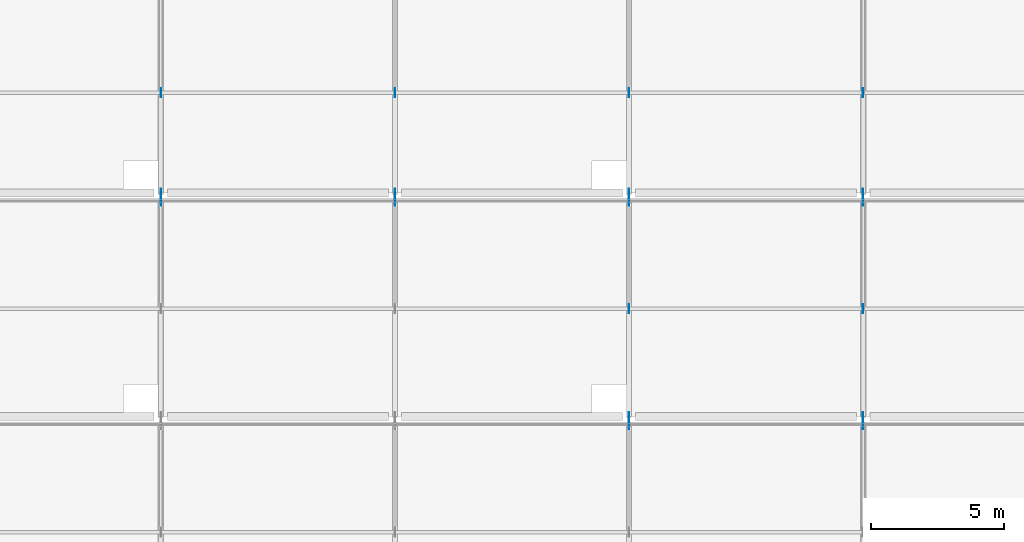
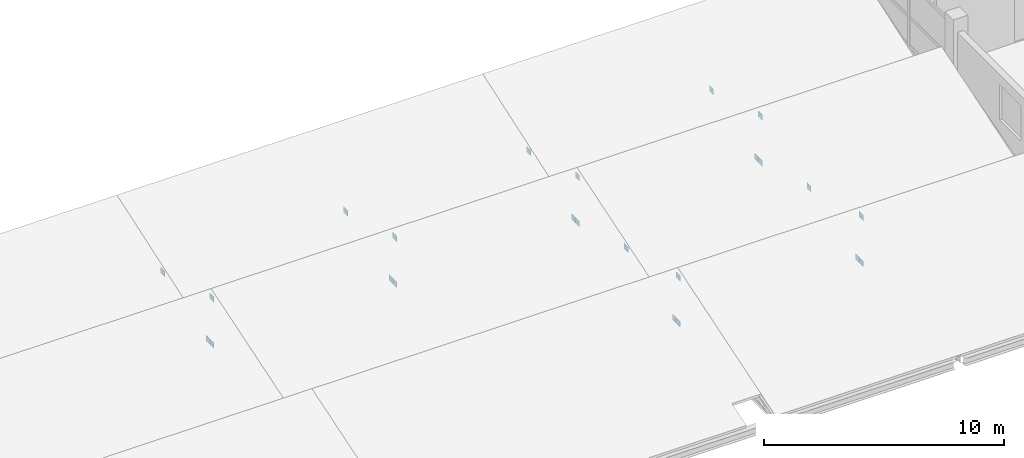
# One storey, part 33 of 40: 24 plates.
"""IFC4 building model written with IfcOpenShell, lengths in metres."""

from ifc_helpers import new_model, si_unit, direction, frame, origin, origin_2d, place, context, subcontext, project, spatial, rectangle, extrude, material, layer, layer_set, type_object, element, save


model = new_model("IFC4")

# Units and contexts
model_context = context("Model", 3, precision=1e-05, world=origin(), true_north=direction((0.0, 1.0)))
body_context = subcontext(model_context, "Body", "Model", "MODEL_VIEW")
ifc_project = project(units=[si_unit("LENGTHUNIT", "METRE"), si_unit("AREAUNIT", "SQUARE_METRE"), si_unit("VOLUMEUNIT", "CUBIC_METRE"), si_unit("PLANEANGLEUNIT", "RADIAN"), si_unit("MASSUNIT", "GRAM", prefix="KILO")], contexts=[model_context])

# Site, building, storey
site_placement = place(None, origin())
site = spatial("IfcSite", under=ifc_project, at=site_placement, CompositionType="ELEMENT")
building_placement = place(site_placement, origin())
building = spatial("IfcBuilding", under=site, at=building_placement, Name="Brinegate Botanical Conservatory", CompositionType="ELEMENT")
storey_placement = place(building_placement, frame((0.0, 0.0, 19.199951171875)))
storey = spatial("IfcBuildingStorey", under=building, at=storey_placement, Name="L05", CompositionType="ELEMENT", Elevation=19.199951171875)

# Plates
ifc_material = material(Name="Welded node steel Q355GJ / S355", Category="steel")
ifc_layer = layer(ifc_material, 0.01806640625, Name="Welded node steel Q355GJ / S355", Category="steel")
ifc_layer_set = layer_set([ifc_layer], Name="Welded node steel Q355GJ / S355")
plate_type = type_object("IfcPlateType", Name="Plate_GS-02", PredefinedType="USERDEFINED", material=ifc_layer_set)
for number, where, z_axis, x_axis, name in (
    (1, (103.60009765625, 94.89990234375, -0.1201171875), (0.0, 0.0, 1.0), (1.0, 0.0, 0.0), "Sawtooth truss gusset node GS-02 B1.T7.NB"),
    (2, (103.60009765625, 94.89990234375, 2.2099609375), (0.0, 0.0, 1.0), (1.0, 0.0, 0.0), "Sawtooth truss gusset node GS-02 B1.T7.NT"),
    (3, (112.39990234375, 94.89990234375, -0.1201171875), (0.0, 0.0, 1.0), (1.0, 0.0, 0.0), "Sawtooth truss gusset node GS-02 B1.T8.NB"),
    (4, (112.39990234375, 94.89990234375, 2.2099609375), (0.0, 0.0, 1.0), (1.0, 0.0, 0.0), "Sawtooth truss gusset node GS-02 B1.T8.NT"),
    (5, (86.0, 103.300048828125, -0.1201171875), (0.0, 0.0, 1.0), (1.0, 0.0, 0.0), "Sawtooth truss gusset node GS-02 B2.T5.NB"),
    (6, (86.0, 103.300048828125, 2.2099609375), (0.0, 0.0, 1.0), (1.0, 0.0, 0.0), "Sawtooth truss gusset node GS-02 B2.T5.NT"),
    (7, (94.800048828125, 103.300048828125, -0.1201171875), (0.0, 0.0, 1.0), (1.0, 0.0, 0.0), "Sawtooth truss gusset node GS-02 B2.T6.NB"),
    (8, (94.800048828125, 103.300048828125, 2.2099609375), (0.0, 0.0, 1.0), (1.0, 0.0, 0.0), "Sawtooth truss gusset node GS-02 B2.T6.NT"),
    (9, (103.60009765625, 95.199951171875, -0.1201171875), (0.0, 0.0, 1.0), (1.0, 0.0, 0.0), "Sawtooth truss gusset node GS-02 B2.T7.S"),
    (10, (103.60009765625, 103.300048828125, -0.1201171875), (0.0, 0.0, 1.0), (1.0, 0.0, 0.0), "Sawtooth truss gusset node GS-02 B2.T7.NB"),
    (11, (103.60009765625, 103.300048828125, 2.2099609375), (0.0, 0.0, 1.0), (1.0, 0.0, 0.0), "Sawtooth truss gusset node GS-02 B2.T7.NT"),
    (12, (103.60009765625, 99.25, 1.044921875), (0.0, 0.0, 1.0), (1.0, 0.0, 0.0), "Sawtooth truss gusset node GS-02 B2.T7.M"),
    (13, (112.39990234375, 95.199951171875, -0.1201171875), (0.0, 0.0, 1.0), (1.0, 0.0, 0.0), "Sawtooth truss gusset node GS-02 B2.T8.S"),
    (14, (112.39990234375, 103.300048828125, -0.1201171875), (0.0, 0.0, 1.0), (1.0, 0.0, 0.0), "Sawtooth truss gusset node GS-02 B2.T8.NB"),
    (15, (112.39990234375, 103.300048828125, 2.2099609375), (0.0, 0.0, 1.0), (1.0, 0.0, 0.0), "Sawtooth truss gusset node GS-02 B2.T8.NT"),
    (16, (112.39990234375, 99.25, 1.044921875), (0.0, 0.0, 1.0), (1.0, 0.0, 0.0), "Sawtooth truss gusset node GS-02 B2.T8.M"),
    (17, (86.0, 103.60009765625, -0.1201171875), (0.0, 0.0, 1.0), (1.0, 0.0, 0.0), "Sawtooth truss gusset node GS-02 B3.T5.S"),
    (18, (86.0, 107.375, 1.044921875), (0.0, 0.0, 1.0), (1.0, 0.0, 0.0), "Sawtooth truss gusset node GS-02 B3.T5.M"),
    (19, (94.800048828125, 103.60009765625, -0.1201171875), (0.0, 0.0, 1.0), (1.0, 0.0, 0.0), "Sawtooth truss gusset node GS-02 B3.T6.S"),
    (20, (94.800048828125, 107.375, 1.044921875), (0.0, 0.0, 1.0), (1.0, 0.0, 0.0), "Sawtooth truss gusset node GS-02 B3.T6.M"),
    (21, (103.60009765625, 103.60009765625, -0.1201171875), (0.0, 0.0, 1.0), (1.0, 0.0, 0.0), "Sawtooth truss gusset node GS-02 B3.T7.S"),
    (22, (103.60009765625, 107.375, 1.044921875), (0.0, 0.0, 1.0), (1.0, 0.0, 0.0), "Sawtooth truss gusset node GS-02 B3.T7.M"),
    (23, (112.39990234375, 103.60009765625, -0.1201171875), (0.0, 0.0, 1.0), (1.0, 0.0, 0.0), "Sawtooth truss gusset node GS-02 B3.T8.S"),
    (24, (112.39990234375, 107.375, 1.044921875), (0.0, 0.0, 1.0), (1.0, 0.0, 0.0), "Sawtooth truss gusset node GS-02 B3.T8.M"),
):
    element("IfcPlate", number, at=place(storey_placement, frame(where, z_axis=z_axis, x_axis=x_axis)), inside=storey, type_object=plate_type, Name=name, ObjectType="GUSSET PLATE", PredefinedType="USERDEFINED", context=body_context, shape_type="SweptSolid", body=[
        extrude(rectangle(XDim=0.01806640625, YDim=0.340087890625, at=origin_2d()), origin(), (0.0, 0.0, 1.0), 0.280029296875),
    ])

save(model, "model.ifc")
